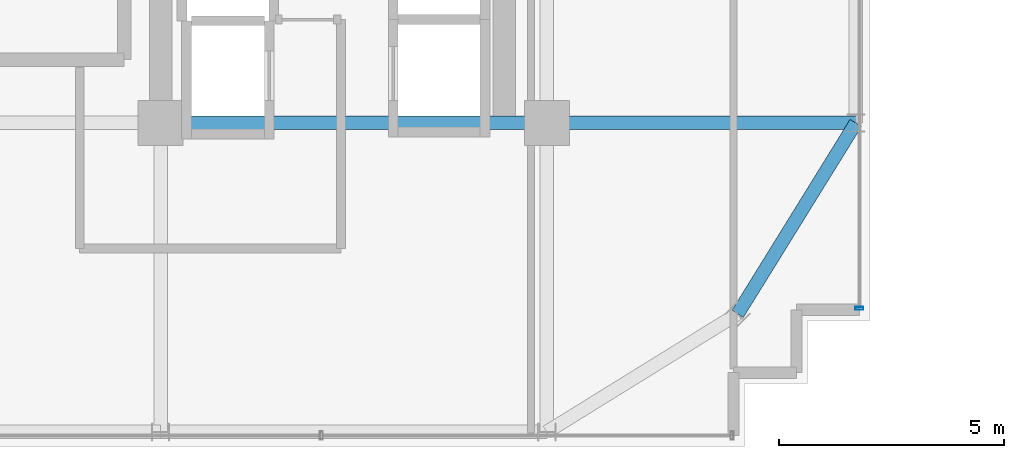
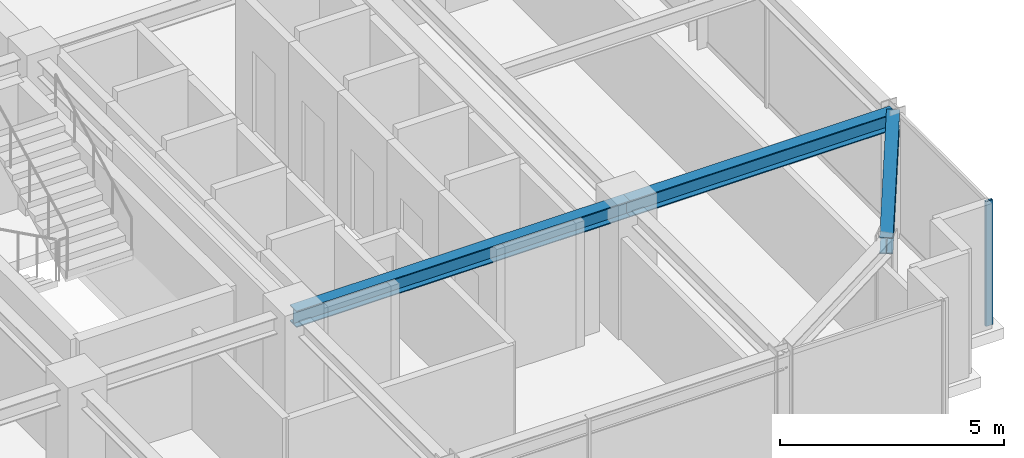
# One storey, part 13 of 36: 3 beams, 1 member, 1 element without a shape of its own.
"""IFC4 building model written with IfcOpenShell, lengths in metres."""

from ifc_helpers import new_model, si_unit, direction, frame, origin, origin_2d, place, context, subcontext, project, spatial, hollow_rectangle, i_section, extrude, source, transform, mapped, material, material_profile, profile_set, type_object, element, aggregate, save


model = new_model("IFC4")

# Units and contexts
model_context = context("Model", 3, precision=1e-05, world=origin(), true_north=direction((0.0, 1.0)))
body_context = subcontext(model_context, "Body", "Model", "MODEL_VIEW")
ifc_project = project(units=[si_unit("LENGTHUNIT", "METRE"), si_unit("AREAUNIT", "SQUARE_METRE"), si_unit("VOLUMEUNIT", "CUBIC_METRE"), si_unit("PLANEANGLEUNIT", "RADIAN"), si_unit("MASSUNIT", "GRAM", prefix="KILO")], contexts=[model_context])

# Site, building, storey
site_placement = place(None, origin())
site = spatial("IfcSite", under=ifc_project, at=site_placement, CompositionType="ELEMENT")
building_placement = place(site_placement, origin())
building = spatial("IfcBuilding", under=site, at=building_placement, Name="Nahalor Promenade Grand Hotel", CompositionType="ELEMENT")
storey_placement = place(building_placement, frame((0.0, 0.0, 253.0)))
storey = spatial("IfcBuildingStorey", under=building, at=storey_placement, Name="L65", CompositionType="ELEMENT", Elevation=253.0)

# Beams
ifc_material_1 = material(Name="Steel S355JR", Category="steel")
ifc_material_profile_1 = material_profile(ifc_material_1, i_section(OverallWidth=0.3, OverallDepth=0.45, WebThickness=0.014, FlangeThickness=0.026, at=origin_2d()), Name="HEB 450")
ifc_profile_set_1 = profile_set([ifc_material_profile_1], Name="Steel S355JR")
beam_type_1 = type_object("IfcBeamType", Name="Beam-Spandrel-HEB450", PredefinedType="SPANDREL", material=ifc_profile_set_1)
shared_shape_1 = source(origin(), body_context, "Body", "SweptSolid", [
    extrude(i_section(OverallWidth=0.3, OverallDepth=0.45, WebThickness=0.014, FlangeThickness=0.026, at=origin_2d()), origin(), (0.0, 0.0, 1.0), 4.997802734375),
])
beam_1_placement = place(storey_placement, frame((21.25, -21.25, 3.18505859375), z_axis=(0.526199891161, 0.850360908404, 0.0), x_axis=(-0.850360908404, 0.526199891161, 0.0)))
element("IfcBeam", 1, at=beam_1_placement, inside=storey, type_object=beam_type_1, Name="BM-L65-SPC-SE-2", PredefinedType="SPANDREL", context=body_context, shape_type="MappedRepresentation", body=[
    mapped(shared_shape_1, transform((0.0, 0.0, 0.0), scale=1.0)),
])
ifc_material_profile_2 = material_profile(ifc_material_1, i_section(OverallWidth=0.3, OverallDepth=0.45, WebThickness=0.014, FlangeThickness=0.026, at=origin_2d()), Name="HEB 450")
ifc_profile_set_2 = profile_set([ifc_material_profile_2], Name="Steel S355JR")
beam_type_2 = type_object("IfcBeamType", Name="Beam-Girder-HEB450", PredefinedType="BEAM", material=ifc_profile_set_2)
shared_shape_2 = source(origin(), body_context, "Body", "SweptSolid", [
    extrude(i_section(OverallWidth=0.3, OverallDepth=0.45, WebThickness=0.014, FlangeThickness=0.026, at=origin_2d()), origin(), (0.0, 0.0, 1.0), 6.8798828125),
])
beam_2_placement = place(storey_placement, frame((17.0, -17.0, 3.18505859375), z_axis=(1.0, 0.0, 0.0), x_axis=(0.0, 1.0, 0.0)))
element("IfcBeam", 2, at=beam_2_placement, inside=storey, type_object=beam_type_2, Name="BM-L65-GX-0-6", PredefinedType="BEAM", context=body_context, shape_type="MappedRepresentation", body=[
    mapped(shared_shape_2, transform((0.0, 0.0, 0.0), scale=1.0)),
])
shared_shape_3 = source(origin(), body_context, "Body", "SweptSolid", [
    extrude(i_section(OverallWidth=0.3, OverallDepth=0.45, WebThickness=0.014, FlangeThickness=0.026, at=origin_2d()), origin(), (0.0, 0.0, 1.0), 8.60009765625),
])
beam_3_placement = place(storey_placement, frame((8.39990234375, -17.0, 3.18505859375), z_axis=(1.0, 0.0, 0.0), x_axis=(0.0, 1.0, 0.0)))
element("IfcBeam", 3, at=beam_3_placement, inside=storey, type_object=beam_type_2, Name="BM-L65-GX-0-5", PredefinedType="BEAM", context=body_context, shape_type="MappedRepresentation", body=[
    mapped(shared_shape_3, transform((0.0, 0.0, 0.0), scale=1.0)),
])

# Curtain wall, member
ifc_material_2 = material(Name="Anodised Bronze Aluminium EN AW-6063 T6", Category="aluminium")
curtain_wall_type = type_object("IfcCurtainWallType", Name="CW2 Typical Hotel Flush Bronze Unitised Curtain Wall", PredefinedType="USERDEFINED", material=ifc_material_2)
curtain_wall_placement = place(storey_placement, origin())
curtain_wall = element("IfcCurtainWall", 4, at=curtain_wall_placement, inside=storey, type_object=curtain_wall_type, Name="L65 Curtain Wall CW-L65-E-1", ObjectType="UNITISED_CURTAIN_WALL", PredefinedType="USERDEFINED")
ifc_material_profile_3 = material_profile(ifc_material_2, hollow_rectangle(XDim=0.065, YDim=0.18, WallThickness=0.004, at=origin_2d()), Name="CWM 65x180x4")
ifc_profile_set_3 = profile_set([ifc_material_profile_3], Name="Anodised Bronze Aluminium EN AW-6063 T6")
member_type = type_object("IfcMemberType", Name="CWM2 Typical Bronze Mullion 65x180", PredefinedType="MULLION", material=ifc_profile_set_3)
shared_shape_4 = source(origin(), body_context, "Body", "SweptSolid", [
    extrude(hollow_rectangle(XDim=0.065, YDim=0.18, WallThickness=0.004, at=origin_2d()), origin(), (0.0, 0.0, 1.0), 3.409912109375),
])
member_placement = place(storey_placement, frame((23.9599609375, -21.12744140625, 0.0), z_axis=(0.0, 0.0, 1.0), x_axis=(0.0, 1.0, 0.0)))
member = element("IfcMember", 5, at=member_placement, type_object=member_type, Name="CW-L65-E-1 Mullion 0", PredefinedType="MULLION", context=body_context, shape_type="MappedRepresentation", body=[
    mapped(shared_shape_4, transform((0.0, 0.0, 0.0), scale=1.0)),
])
aggregate(curtain_wall, [member])

save(model, "model.ifc")
